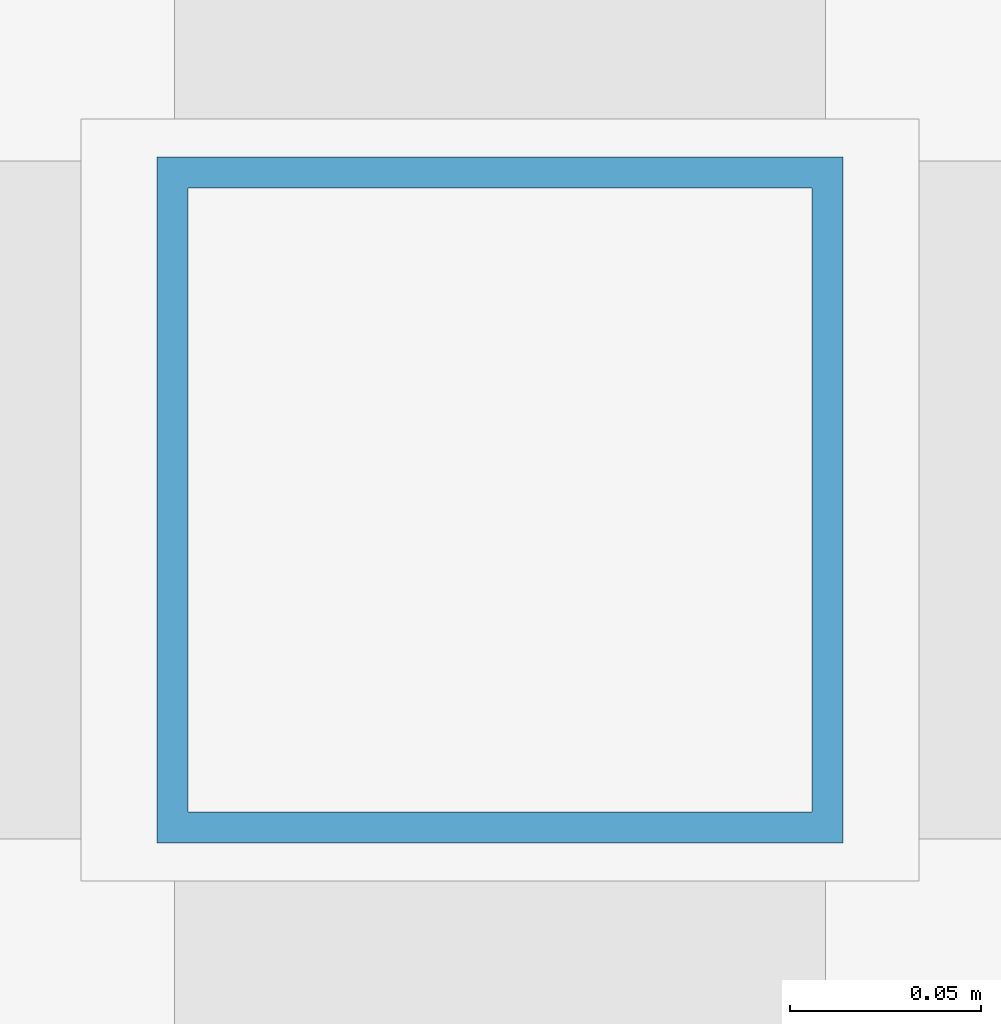
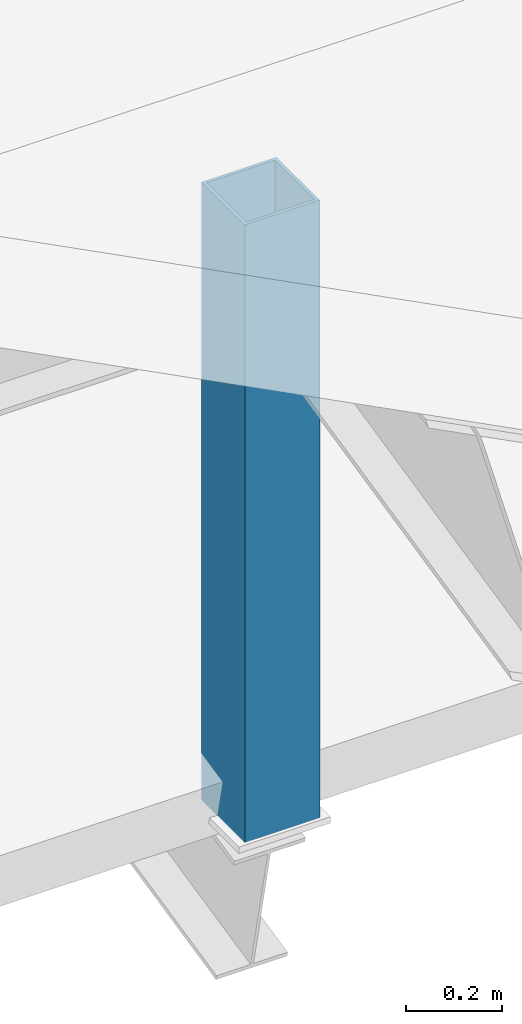
# One storey, part 12 of 31: 1 member.
"""IFC4 building model written with IfcOpenShell, lengths in metres."""

from ifc_helpers import new_model, si_unit, direction, frame, origin, origin_2d, place, context, subcontext, project, spatial, hollow_rectangle, extrude, material, material_profile, profile_set, type_object, element, save


model = new_model("IFC4")

# Units and contexts
model_context = context("Model", 3, precision=1e-05, world=origin(), true_north=direction((0.0, 1.0)))
body_context = subcontext(model_context, "Body", "Model", "MODEL_VIEW")
ifc_project = project(units=[si_unit("LENGTHUNIT", "METRE"), si_unit("AREAUNIT", "SQUARE_METRE"), si_unit("VOLUMEUNIT", "CUBIC_METRE"), si_unit("PLANEANGLEUNIT", "RADIAN"), si_unit("MASSUNIT", "GRAM", prefix="KILO")], contexts=[model_context])

# Site, building, storey
site_placement = place(None, origin())
site = spatial("IfcSite", under=ifc_project, at=site_placement, CompositionType="ELEMENT")
building_placement = place(site_placement, origin())
building = spatial("IfcBuilding", under=site, at=building_placement, Name="Celadon Cloister-Ring School", CompositionType="ELEMENT")
storey_placement = place(building_placement, frame((0.0, 0.0, 16.5)))
storey = spatial("IfcBuildingStorey", under=building, at=storey_placement, Name="L04", CompositionType="ELEMENT", Elevation=16.5)

# Member
ifc_material = material(Name="Structural steel S355JR", Category="steel")
ifc_material_profile = material_profile(ifc_material, hollow_rectangle(XDim=0.179931640625, YDim=0.179931640625, WallThickness=0.008056640625, at=origin_2d()), Name="HSS180X180X8")
ifc_profile_set = profile_set([ifc_material_profile], Name="Structural steel S355JR")
member_type = type_object("IfcMemberType", Name="MB-04", PredefinedType="BRACE", material=ifc_profile_set)
member_placement = place(storey_placement, frame((158.0, 48.0, -0.10009765625), z_axis=(0.0, 0.0, 1.0), x_axis=(1.0, 0.0, 0.0)))
element("IfcMember", 1, at=member_placement, inside=storey, type_object=member_type, Name="Structural Member 0590", PredefinedType="BRACE", context=body_context, shape_type="SweptSolid", body=[
    extrude(hollow_rectangle(XDim=0.179931640625, YDim=0.179931640625, WallThickness=0.008056640625, at=origin_2d()), origin(), (0.0, 0.0, 1.0), 1.567138671875),
])

save(model, "model.ifc")
